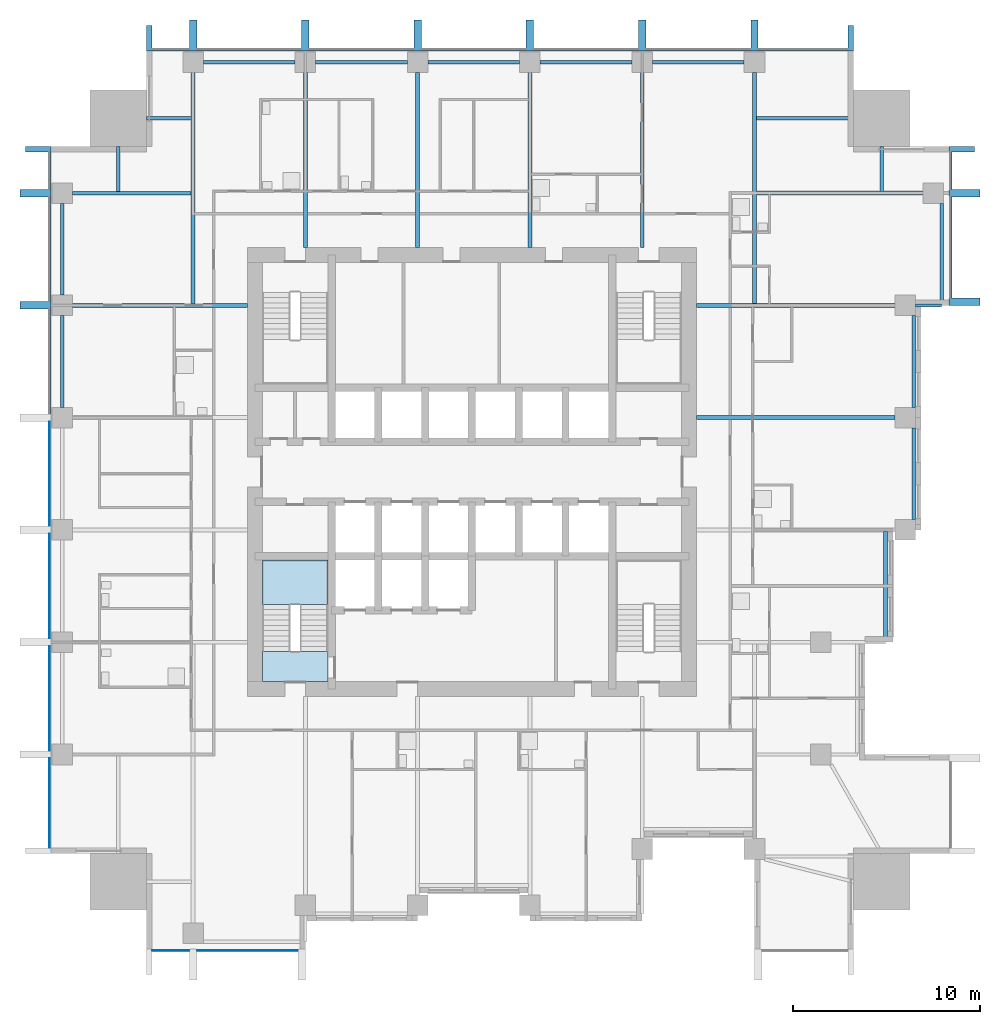
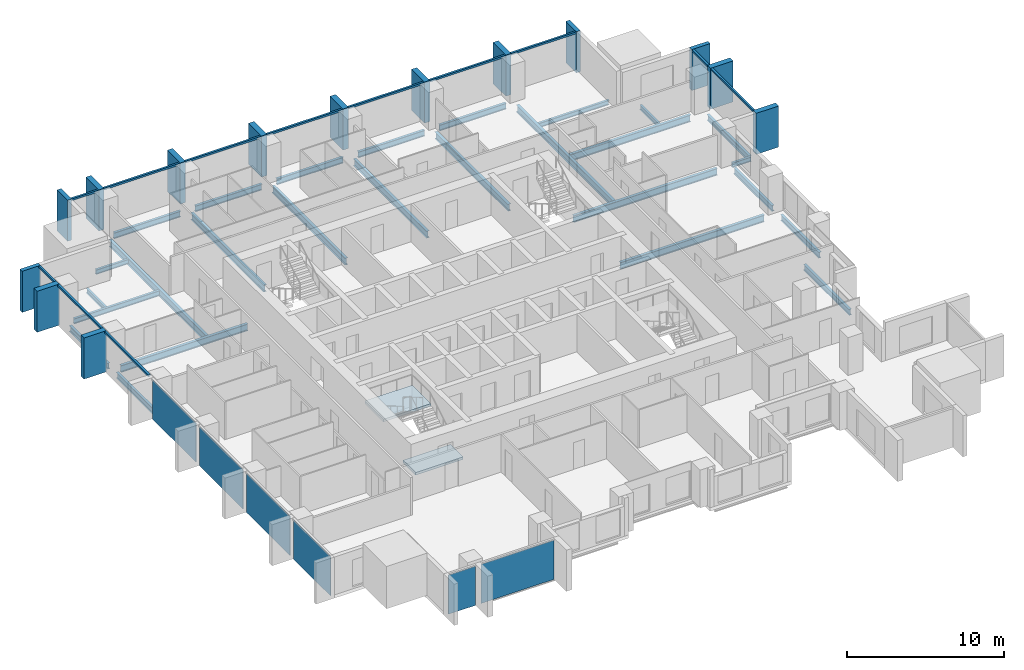
# One storey, part 2 of 10: 27 beams, 26 members, 6 plates, 2 slabs, 5 elements without a shape of their own.
"""IFC4 building model written with IfcOpenShell, lengths in metres."""

from ifc_helpers import new_model, si_unit, direction, frame, origin, origin_2d, place, context, subcontext, project, spatial, polyline, rectangle, i_section, outline, extrude, material, layer, layer_set, material_profile, profile_set, type_object, element, aggregate, save


model = new_model("IFC4")

# Units and contexts
model_context = context("Model", 3, precision=1e-05, world=origin(), true_north=direction((0.0, 1.0)))
body_context = subcontext(model_context, "Body", "Model", "MODEL_VIEW")
ifc_project = project(units=[si_unit("LENGTHUNIT", "METRE"), si_unit("AREAUNIT", "SQUARE_METRE"), si_unit("VOLUMEUNIT", "CUBIC_METRE"), si_unit("PLANEANGLEUNIT", "RADIAN"), si_unit("MASSUNIT", "GRAM", prefix="KILO")], contexts=[model_context])

# Site, building, storey
site_placement = place(None, origin())
site = spatial("IfcSite", under=ifc_project, at=site_placement, CompositionType="ELEMENT")
building_placement = place(site_placement, origin())
building = spatial("IfcBuilding", under=site, at=building_placement, Name="Amberfall Residences", CompositionType="ELEMENT")
storey_placement = place(building_placement, frame((0.0, 0.0, 121.60009765625)))
storey = spatial("IfcBuildingStorey", under=building, at=storey_placement, Name="L33", CompositionType="ELEMENT", Elevation=121.60009765625)

# Curtain wall, members
ifc_material_1 = material(Name="Bronze anodised aluminium and glass", Category="aluminium")
curtain_wall_type = type_object("IfcCurtainWallType", Name="Curtain wall CW1 tower unit", PredefinedType="USERDEFINED", material=ifc_material_1)
curtain_wall_1_placement = place(storey_placement, origin())
curtain_wall_1 = element("IfcCurtainWall", 1, at=curtain_wall_1_placement, inside=storey, type_object=curtain_wall_type, Name="Curtain wall L33 E E10", ObjectType="UNITISED CURTAIN WALL", PredefinedType="USERDEFINED")
ifc_material_2 = material(Name="Bronze anodised aluminium", Category="aluminium")
ifc_material_profile_1 = material_profile(ifc_material_2, rectangle(XDim=0.14990234375, YDim=0.14990234375, at=origin_2d()), Name="CW1 transom 150 x 150 bronze")
ifc_profile_set_1 = profile_set([ifc_material_profile_1], Name="Bronze anodised aluminium")
member_type_1 = type_object("IfcMemberType", Name="CW1 transom 150 x 150 bronze", PredefinedType="USERDEFINED", material=ifc_profile_set_1)
member_1_placement = place(storey_placement, frame((100.074951171875, 54.800048828125, 2.875), z_axis=(0.0, 1.0, 0.0), x_axis=(-1.0, 0.0, 0.0)))
member_1 = element("IfcMember", 2, at=member_1_placement, type_object=member_type_1, Name="CW1 transom 1.1", ObjectType="TRANSOM", PredefinedType="USERDEFINED", context=body_context, shape_type="SweptSolid", body=[
    extrude(rectangle(XDim=0.14990234375, YDim=0.14990234375, at=origin_2d()), origin(), (0.0, 0.0, 1.0), 5.39990234375),
])
member_2_placement = place(storey_placement, frame((100.074951171875, 60.60009765625, 2.875), z_axis=(0.0, 1.0, 0.0), x_axis=(-1.0, 0.0, 0.0)))
member_2 = element("IfcMember", 3, at=member_2_placement, type_object=member_type_1, Name="CW1 transom 2.1", ObjectType="TRANSOM", PredefinedType="USERDEFINED", context=body_context, shape_type="SweptSolid", body=[
    extrude(rectangle(XDim=0.14990234375, YDim=0.14990234375, at=origin_2d()), origin(), (0.0, 0.0, 1.0), 2.0),
])

curtain_wall_2_placement = place(storey_placement, origin())
curtain_wall_2 = element("IfcCurtainWall", 4, at=curtain_wall_2_placement, inside=storey, type_object=curtain_wall_type, Name="Curtain wall L33 N N1", ObjectType="UNITISED CURTAIN WALL", PredefinedType="USERDEFINED")
member_3_placement = place(storey_placement, frame((94.60009765625, 68.074951171875, 2.875), z_axis=(-1.0, 0.0, 0.0), x_axis=(0.0, -1.0, 0.0)))
member_3 = element("IfcMember", 5, at=member_3_placement, type_object=member_type_1, Name="CW1 transom 1.1", ObjectType="TRANSOM", PredefinedType="USERDEFINED", context=body_context, shape_type="SweptSolid", body=[
    extrude(rectangle(XDim=0.14990234375, YDim=0.14990234375, at=origin_2d()), origin(), (0.0, 0.0, 1.0), 4.800048828125),
])
member_4_placement = place(storey_placement, frame((89.39990234375, 68.074951171875, 2.875), z_axis=(-1.0, 0.0, 0.0), x_axis=(0.0, -1.0, 0.0)))
member_4 = element("IfcMember", 6, at=member_4_placement, type_object=member_type_1, Name="CW1 transom 2.1", ObjectType="TRANSOM", PredefinedType="USERDEFINED", context=body_context, shape_type="SweptSolid", body=[
    extrude(rectangle(XDim=0.14990234375, YDim=0.14990234375, at=origin_2d()), origin(), (0.0, 0.0, 1.0), 5.599853515625),
])
member_5_placement = place(storey_placement, frame((83.39990234375, 68.074951171875, 2.875), z_axis=(-1.0, 0.0, 0.0), x_axis=(0.0, -1.0, 0.0)))
member_5 = element("IfcMember", 7, at=member_5_placement, type_object=member_type_1, Name="CW1 transom 3.1", ObjectType="TRANSOM", PredefinedType="USERDEFINED", context=body_context, shape_type="SweptSolid", body=[
    extrude(rectangle(XDim=0.14990234375, YDim=0.14990234375, at=origin_2d()), origin(), (0.0, 0.0, 1.0), 5.599853515625),
])
member_6_placement = place(storey_placement, frame((77.39990234375, 68.074951171875, 2.875), z_axis=(-1.0, 0.0, 0.0), x_axis=(0.0, -1.0, 0.0)))
member_6 = element("IfcMember", 8, at=member_6_placement, type_object=member_type_1, Name="CW1 transom 4.1", ObjectType="TRANSOM", PredefinedType="USERDEFINED", context=body_context, shape_type="SweptSolid", body=[
    extrude(rectangle(XDim=0.14990234375, YDim=0.14990234375, at=origin_2d()), origin(), (0.0, 0.0, 1.0), 5.599853515625),
])
member_7_placement = place(storey_placement, frame((71.39990234375, 68.074951171875, 2.875), z_axis=(-1.0, 0.0, 0.0), x_axis=(0.0, -1.0, 0.0)))
member_7 = element("IfcMember", 9, at=member_7_placement, type_object=member_type_1, Name="CW1 transom 5.1", ObjectType="TRANSOM", PredefinedType="USERDEFINED", context=body_context, shape_type="SweptSolid", body=[
    extrude(rectangle(XDim=0.14990234375, YDim=0.14990234375, at=origin_2d()), origin(), (0.0, 0.0, 1.0), 5.599853515625),
])
member_8_placement = place(storey_placement, frame((65.39990234375, 68.074951171875, 2.875), z_axis=(-1.0, 0.0, 0.0), x_axis=(0.0, -1.0, 0.0)))
member_8 = element("IfcMember", 10, at=member_8_placement, type_object=member_type_1, Name="CW1 transom 6.1", ObjectType="TRANSOM", PredefinedType="USERDEFINED", context=body_context, shape_type="SweptSolid", body=[
    extrude(rectangle(XDim=0.14990234375, YDim=0.14990234375, at=origin_2d()), origin(), (0.0, 0.0, 1.0), 5.599853515625),
])
member_9_placement = place(storey_placement, frame((59.39990234375, 68.074951171875, 2.875), z_axis=(-1.0, 0.0, 0.0), x_axis=(0.0, -1.0, 0.0)))
member_9 = element("IfcMember", 11, at=member_9_placement, type_object=member_type_1, Name="CW1 transom 7.1", ObjectType="TRANSOM", PredefinedType="USERDEFINED", context=body_context, shape_type="SweptSolid", body=[
    extrude(rectangle(XDim=0.14990234375, YDim=0.14990234375, at=origin_2d()), origin(), (0.0, 0.0, 1.0), 2.0),
])

curtain_wall_3_placement = place(storey_placement, origin())
curtain_wall_3 = element("IfcCurtainWall", 12, at=curtain_wall_3_placement, inside=storey, type_object=curtain_wall_type, Name="Curtain wall L33 W W1", ObjectType="UNITISED CURTAIN WALL", PredefinedType="USERDEFINED")
member_10_placement = place(storey_placement, frame((51.925048828125, 62.60009765625, 2.875), z_axis=(0.0, -1.0, 0.0), x_axis=(1.0, 0.0, 0.0)))
member_10 = element("IfcMember", 13, at=member_10_placement, type_object=member_type_1, Name="CW1 transom 1.1", ObjectType="TRANSOM", PredefinedType="USERDEFINED", context=body_context, shape_type="SweptSolid", body=[
    extrude(rectangle(XDim=0.14990234375, YDim=0.14990234375, at=origin_2d()), origin(), (0.0, 0.0, 1.0), 2.0),
])
member_11_placement = place(storey_placement, frame((51.925048828125, 60.199951171875, 2.875), z_axis=(0.0, -1.0, 0.0), x_axis=(1.0, 0.0, 0.0)))
member_11 = element("IfcMember", 14, at=member_11_placement, type_object=member_type_1, Name="CW1 transom 2.1", ObjectType="TRANSOM", PredefinedType="USERDEFINED", context=body_context, shape_type="SweptSolid", body=[
    extrude(rectangle(XDim=0.14990234375, YDim=0.14990234375, at=origin_2d()), origin(), (0.0, 0.0, 1.0), 5.599853515625),
])
member_12_placement = place(storey_placement, frame((51.925048828125, 54.199951171875, 2.875), z_axis=(0.0, -1.0, 0.0), x_axis=(1.0, 0.0, 0.0)))
member_12 = element("IfcMember", 15, at=member_12_placement, type_object=member_type_1, Name="CW1 transom 3.1", ObjectType="TRANSOM", PredefinedType="USERDEFINED", context=body_context, shape_type="SweptSolid", body=[
    extrude(rectangle(XDim=0.14990234375, YDim=0.14990234375, at=origin_2d()), origin(), (0.0, 0.0, 1.0), 5.599853515625),
])

# Beam
ifc_material_3 = material(Name="Steel S355", Category="steel")
ifc_material_profile_2 = material_profile(ifc_material_3, i_section(OverallWidth=0.171142578125, OverallDepth=0.351318359375, WebThickness=0.007080078125, FlangeThickness=0.009765625, FilletRadius=0.01025390625, at=origin_2d()), Name="UB 356x171x45")
ifc_profile_set_2 = profile_set([ifc_material_profile_2], Name="Steel S355")
beam_type_1 = type_object("IfcBeamType", Name="Cantilever girder UB 356x171x45", PredefinedType="BEAM", material=ifc_profile_set_2)
beam_1_placement = place(storey_placement, frame((98.199951171875, 54.39990234375, -0.42578125), z_axis=(1.0, 0.0, 0.0), x_axis=(0.0, 1.0, 0.0)))
element("IfcBeam", 16, at=beam_1_placement, inside=storey, type_object=beam_type_1, Name="Cantilever girder B8 L33 21", PredefinedType="BEAM", context=body_context, shape_type="SweptSolid", body=[
    extrude(i_section(OverallWidth=0.171142578125, OverallDepth=0.351318359375, WebThickness=0.007080078125, FlangeThickness=0.009765625, FilletRadius=0.01025390625, at=origin_2d()), origin(), (0.0, 0.0, 1.0), 1.400146484375),
])

# Member
ifc_material_profile_3 = material_profile(ifc_material_2, rectangle(XDim=1.35009765625, YDim=0.300048828125, at=origin_2d()), Name="Corner fin 300 x 1350 bronze")
ifc_profile_set_3 = profile_set([ifc_material_profile_3], Name="Bronze anodised aluminium")
member_type_2 = type_object("IfcMemberType", Name="Corner fin 300 x 1350 bronze", PredefinedType="MULLION", material=ifc_profile_set_3)
member_13_placement = place(storey_placement, frame((100.675048828125, 62.75, -0.25), z_axis=(0.0, 0.0, 1.0), x_axis=(-1.0, 0.0, 0.0)))
member_13 = element("IfcMember", 17, at=member_13_placement, type_object=member_type_2, Name="CW FIN 3", PredefinedType="MULLION", context=body_context, shape_type="SweptSolid", body=[
    extrude(rectangle(XDim=1.35009765625, YDim=0.300048828125, at=origin_2d()), origin(), (0.0, 0.0, 1.0), 3.199951171875),
])

member_14_placement = place(storey_placement, frame((94.75, 68.675048828125, -0.25), z_axis=(0.0, 0.0, 1.0), x_axis=(0.0, -1.0, 0.0)))
member_14 = element("IfcMember", 18, at=member_14_placement, type_object=member_type_2, Name="CW FIN 1", PredefinedType="MULLION", context=body_context, shape_type="SweptSolid", body=[
    extrude(rectangle(XDim=1.35009765625, YDim=0.300048828125, at=origin_2d()), origin(), (0.0, 0.0, 1.0), 3.199951171875),
])

member_15_placement = place(storey_placement, frame((57.25, 68.675048828125, -0.25), z_axis=(0.0, 0.0, 1.0), x_axis=(0.0, -1.0, 0.0)))
member_15 = element("IfcMember", 19, at=member_15_placement, type_object=member_type_2, Name="CW FIN 8", PredefinedType="MULLION", context=body_context, shape_type="SweptSolid", body=[
    extrude(rectangle(XDim=1.35009765625, YDim=0.300048828125, at=origin_2d()), origin(), (0.0, 0.0, 1.0), 3.199951171875),
])

member_16_placement = place(storey_placement, frame((51.324951171875, 62.75, -0.25), z_axis=(0.0, 0.0, 1.0), x_axis=(1.0, 0.0, 0.0)))
member_16 = element("IfcMember", 20, at=member_16_placement, type_object=member_type_2, Name="CW FIN 1", PredefinedType="MULLION", context=body_context, shape_type="SweptSolid", body=[
    extrude(rectangle(XDim=1.35009765625, YDim=0.300048828125, at=origin_2d()), origin(), (0.0, 0.0, 1.0), 3.199951171875),
])

# Beams
ifc_material_profile_4 = material_profile(ifc_material_3, i_section(OverallWidth=0.18994140625, OverallDepth=0.453369140625, WebThickness=0.008544921875, FlangeThickness=0.0126953125, FilletRadius=0.01025390625, at=origin_2d()), Name="UB 457x191x67")
ifc_profile_set_4 = profile_set([ifc_material_profile_4], Name="Steel S355")
beam_type_2 = type_object("IfcBeamType", Name="Edge beam UB 457x191x67", PredefinedType="SPANDREL", material=ifc_profile_set_4)
beam_2_placement = place(storey_placement, frame((96.60009765625, 36.47998046875, -0.476806640625), z_axis=(0.0, 1.0, 0.0), x_axis=(-1.0, 0.0, 0.0)))
element("IfcBeam", 21, at=beam_2_placement, inside=storey, type_object=beam_type_2, Name="Edge beam B1 L33 15", PredefinedType="SPANDREL", context=body_context, shape_type="SweptSolid", body=[
    extrude(i_section(OverallWidth=0.18994140625, OverallDepth=0.453369140625, WebThickness=0.008544921875, FlangeThickness=0.0126953125, FilletRadius=0.01025390625, at=origin_2d()), origin(), (0.0, 0.0, 1.0), 5.840087890625),
])
for number, where, z_axis, x_axis, name in (
    (22, (98.10009765625, 42.949951171875, -0.476806640625), (0.0, 1.0, 0.0), (-1.0, 0.0, 0.0), "Edge beam B1 L33 16"),
    (23, (98.10009765625, 48.949951171875, -0.476806640625), (0.0, 1.0, 0.0), (-1.0, 0.0, 0.0), "Edge beam B1 L33 17"),
):
    element("IfcBeam", number, at=place(storey_placement, frame(where, z_axis=z_axis, x_axis=x_axis)), inside=storey, type_object=beam_type_2, Name=name, PredefinedType="SPANDREL", context=body_context, shape_type="SweptSolid", body=[
        extrude(i_section(OverallWidth=0.18994140625, OverallDepth=0.453369140625, WebThickness=0.008544921875, FlangeThickness=0.0126953125, FilletRadius=0.01025390625, at=origin_2d()), origin(), (0.0, 0.0, 1.0), 4.900146484375),
    ])
beam_3_placement = place(storey_placement, frame((99.60009765625, 54.47998046875, -0.476806640625), z_axis=(0.0, 1.0, 0.0), x_axis=(-1.0, 0.0, 0.0)))
element("IfcBeam", 24, at=beam_3_placement, inside=storey, type_object=beam_type_2, Name="Edge beam B1 L33 18", PredefinedType="SPANDREL", context=body_context, shape_type="SweptSolid", body=[
    extrude(i_section(OverallWidth=0.18994140625, OverallDepth=0.453369140625, WebThickness=0.008544921875, FlangeThickness=0.0126953125, FilletRadius=0.01025390625, at=origin_2d()), origin(), (0.0, 0.0, 1.0), 5.3701171875),
])
for number, where, z_axis, x_axis, name in (
    (25, (60.14990234375, 67.39990234375, -0.476806640625), (1.0, 0.0, 0.0), (0.0, 1.0, 0.0), "Edge beam B1 L33 28"),
    (26, (66.14990234375, 67.39990234375, -0.476806640625), (1.0, 0.0, 0.0), (0.0, 1.0, 0.0), "Edge beam B1 L33 29"),
    (27, (72.14990234375, 67.39990234375, -0.476806640625), (1.0, 0.0, 0.0), (0.0, 1.0, 0.0), "Edge beam B1 L33 30"),
    (28, (78.14990234375, 67.39990234375, -0.476806640625), (1.0, 0.0, 0.0), (0.0, 1.0, 0.0), "Edge beam B1 L33 31"),
    (29, (84.14990234375, 67.39990234375, -0.476806640625), (1.0, 0.0, 0.0), (0.0, 1.0, 0.0), "Edge beam B1 L33 32"),
    (30, (52.60009765625, 48.949951171875, -0.476806640625), (0.0, 1.0, 0.0), (-1.0, 0.0, 0.0), "Edge beam B1 L33 42"),
    (31, (52.60009765625, 54.949951171875, -0.476806640625), (0.0, 1.0, 0.0), (-1.0, 0.0, 0.0), "Edge beam B1 L33 43"),
):
    element("IfcBeam", number, at=place(storey_placement, frame(where, z_axis=z_axis, x_axis=x_axis)), inside=storey, type_object=beam_type_2, Name=name, PredefinedType="SPANDREL", context=body_context, shape_type="SweptSolid", body=[
        extrude(i_section(OverallWidth=0.18994140625, OverallDepth=0.453369140625, WebThickness=0.008544921875, FlangeThickness=0.0126953125, FilletRadius=0.01025390625, at=origin_2d()), origin(), (0.0, 0.0, 1.0), 4.900146484375),
    ])

# Member
ifc_material_profile_5 = material_profile(ifc_material_2, rectangle(XDim=1.64990234375, YDim=0.39990234375, at=origin_2d()), Name="Fin 400 x 1650 bronze")
ifc_profile_set_5 = profile_set([ifc_material_profile_5], Name="Bronze anodised aluminium")
member_type_3 = type_object("IfcMemberType", Name="Fin 400 x 1650 bronze", PredefinedType="MULLION", material=ifc_profile_set_5)
member_17_placement = place(storey_placement, frame((100.824951171875, 54.60009765625, -0.25), z_axis=(0.0, 0.0, 1.0), x_axis=(-1.0, 0.0, 0.0)))
member_17 = element("IfcMember", 32, at=member_17_placement, type_object=member_type_3, Name="CW FIN 1", PredefinedType="MULLION", context=body_context, shape_type="SweptSolid", body=[
    extrude(rectangle(XDim=1.64990234375, YDim=0.39990234375, at=origin_2d()), origin(), (0.0, 0.0, 1.0), 3.199951171875),
])

member_18_placement = place(storey_placement, frame((100.824951171875, 60.39990234375, -0.25), z_axis=(0.0, 0.0, 1.0), x_axis=(-1.0, 0.0, 0.0)))
member_18 = element("IfcMember", 33, at=member_18_placement, type_object=member_type_3, Name="CW FIN 2", PredefinedType="MULLION", context=body_context, shape_type="SweptSolid", body=[
    extrude(rectangle(XDim=1.64990234375, YDim=0.39990234375, at=origin_2d()), origin(), (0.0, 0.0, 1.0), 3.199951171875),
])

aggregate(curtain_wall_1, [member_17, member_18, member_13, member_1, member_2])

member_19_placement = place(storey_placement, frame((89.60009765625, 68.824951171875, -0.25), z_axis=(0.0, 0.0, 1.0), x_axis=(0.0, -1.0, 0.0)))
member_19 = element("IfcMember", 34, at=member_19_placement, type_object=member_type_3, Name="CW FIN 2", PredefinedType="MULLION", context=body_context, shape_type="SweptSolid", body=[
    extrude(rectangle(XDim=1.64990234375, YDim=0.39990234375, at=origin_2d()), origin(), (0.0, 0.0, 1.0), 3.199951171875),
])

member_20_placement = place(storey_placement, frame((83.60009765625, 68.824951171875, -0.25), z_axis=(0.0, 0.0, 1.0), x_axis=(0.0, -1.0, 0.0)))
member_20 = element("IfcMember", 35, at=member_20_placement, type_object=member_type_3, Name="CW FIN 3", PredefinedType="MULLION", context=body_context, shape_type="SweptSolid", body=[
    extrude(rectangle(XDim=1.64990234375, YDim=0.39990234375, at=origin_2d()), origin(), (0.0, 0.0, 1.0), 3.199951171875),
])

member_21_placement = place(storey_placement, frame((77.60009765625, 68.824951171875, -0.25), z_axis=(0.0, 0.0, 1.0), x_axis=(0.0, -1.0, 0.0)))
member_21 = element("IfcMember", 36, at=member_21_placement, type_object=member_type_3, Name="CW FIN 4", PredefinedType="MULLION", context=body_context, shape_type="SweptSolid", body=[
    extrude(rectangle(XDim=1.64990234375, YDim=0.39990234375, at=origin_2d()), origin(), (0.0, 0.0, 1.0), 3.199951171875),
])

member_22_placement = place(storey_placement, frame((71.60009765625, 68.824951171875, -0.25), z_axis=(0.0, 0.0, 1.0), x_axis=(0.0, -1.0, 0.0)))
member_22 = element("IfcMember", 37, at=member_22_placement, type_object=member_type_3, Name="CW FIN 5", PredefinedType="MULLION", context=body_context, shape_type="SweptSolid", body=[
    extrude(rectangle(XDim=1.64990234375, YDim=0.39990234375, at=origin_2d()), origin(), (0.0, 0.0, 1.0), 3.199951171875),
])

member_23_placement = place(storey_placement, frame((65.60009765625, 68.824951171875, -0.25), z_axis=(0.0, 0.0, 1.0), x_axis=(0.0, -1.0, 0.0)))
member_23 = element("IfcMember", 38, at=member_23_placement, type_object=member_type_3, Name="CW FIN 6", PredefinedType="MULLION", context=body_context, shape_type="SweptSolid", body=[
    extrude(rectangle(XDim=1.64990234375, YDim=0.39990234375, at=origin_2d()), origin(), (0.0, 0.0, 1.0), 3.199951171875),
])

member_24_placement = place(storey_placement, frame((59.60009765625, 68.824951171875, -0.25), z_axis=(0.0, 0.0, 1.0), x_axis=(0.0, -1.0, 0.0)))
member_24 = element("IfcMember", 39, at=member_24_placement, type_object=member_type_3, Name="CW FIN 7", PredefinedType="MULLION", context=body_context, shape_type="SweptSolid", body=[
    extrude(rectangle(XDim=1.64990234375, YDim=0.39990234375, at=origin_2d()), origin(), (0.0, 0.0, 1.0), 3.199951171875),
])

aggregate(curtain_wall_2, [member_14, member_19, member_20, member_21, member_22, member_23, member_24, member_15, member_3, member_4, member_5, member_6, member_7, member_8, member_9])

member_25_placement = place(storey_placement, frame((51.175048828125, 60.39990234375, -0.25), z_axis=(0.0, 0.0, 1.0), x_axis=(1.0, 0.0, 0.0)))
member_25 = element("IfcMember", 40, at=member_25_placement, type_object=member_type_3, Name="CW FIN 2", PredefinedType="MULLION", context=body_context, shape_type="SweptSolid", body=[
    extrude(rectangle(XDim=1.64990234375, YDim=0.39990234375, at=origin_2d()), origin(), (0.0, 0.0, 1.0), 3.199951171875),
])

member_26_placement = place(storey_placement, frame((51.175048828125, 54.39990234375, -0.25), z_axis=(0.0, 0.0, 1.0), x_axis=(1.0, 0.0, 0.0)))
member_26 = element("IfcMember", 41, at=member_26_placement, type_object=member_type_3, Name="CW FIN 3", PredefinedType="MULLION", context=body_context, shape_type="SweptSolid", body=[
    extrude(rectangle(XDim=1.64990234375, YDim=0.39990234375, at=origin_2d()), origin(), (0.0, 0.0, 1.0), 3.199951171875),
])

# Beams
ifc_material_profile_6 = material_profile(ifc_material_3, i_section(OverallWidth=0.177734375, OverallDepth=0.402587890625, WebThickness=0.0078125, FlangeThickness=0.010986328125, FilletRadius=0.01025390625, at=origin_2d()), Name="UB 406x178x54")
ifc_profile_set_6 = profile_set([ifc_material_profile_6], Name="Steel S355")
beam_type_3 = type_object("IfcBeamType", Name="Floor girder UB 406x178x54", PredefinedType="BEAM", material=ifc_profile_set_6)
beam_4_placement = place(storey_placement, frame((53.14990234375, 60.39990234375, -0.451416015625), z_axis=(1.0, 0.0, 0.0), x_axis=(0.0, 1.0, 0.0)))
element("IfcBeam", 42, at=beam_4_placement, inside=storey, type_object=beam_type_3, Name="Floor girder B4 L33 49", PredefinedType="BEAM", context=body_context, shape_type="SweptSolid", body=[
    extrude(i_section(OverallWidth=0.177734375, OverallDepth=0.402587890625, WebThickness=0.0078125, FlangeThickness=0.010986328125, FilletRadius=0.01025390625, at=origin_2d()), origin(), (0.0, 0.0, 1.0), 6.330078125),
])
ifc_material_profile_7 = material_profile(ifc_material_3, i_section(OverallWidth=0.210693359375, OverallDepth=0.53955078125, WebThickness=0.01171875, FlangeThickness=0.018798828125, FilletRadius=0.0126953125, at=origin_2d()), Name="UB 533x210x109")
ifc_profile_set_7 = profile_set([ifc_material_profile_7], Name="Steel S355")
beam_type_4 = type_object("IfcBeamType", Name="Floor girder UB 533x210x109", PredefinedType="BEAM", material=ifc_profile_set_7)
for number, where, z_axis, x_axis, name in (
    (43, (59.60009765625, 66.85009765625, -0.519775390625), (0.0, -1.0, 0.0), (1.0, 0.0, 0.0), "Floor girder B2 L33 33"),
    (44, (89.60009765625, 66.85009765625, -0.519775390625), (0.0, -1.0, 0.0), (1.0, 0.0, 0.0), "Floor girder B2 L33 38"),
):
    element("IfcBeam", number, at=place(storey_placement, frame(where, z_axis=z_axis, x_axis=x_axis)), inside=storey, type_object=beam_type_4, Name=name, PredefinedType="BEAM", context=body_context, shape_type="SweptSolid", body=[
        extrude(i_section(OverallWidth=0.210693359375, OverallDepth=0.53955078125, WebThickness=0.01171875, FlangeThickness=0.018798828125, FilletRadius=0.0126953125, at=origin_2d()), origin(), (0.0, 0.0, 1.0), 12.3505859375),
    ])
ifc_material_profile_8 = material_profile(ifc_material_3, i_section(OverallWidth=0.209228515625, OverallDepth=0.533203125, WebThickness=0.010009765625, FlangeThickness=0.015625, FilletRadius=0.0126953125, at=origin_2d()), Name="UB 533x210x92")
ifc_profile_set_8 = profile_set([ifc_material_profile_8], Name="Steel S355")
beam_type_5 = type_object("IfcBeamType", Name="Floor girder UB 533x210x92", PredefinedType="BEAM", material=ifc_profile_set_8)
for number, where, z_axis, x_axis, name in (
    (45, (97.10009765625, 48.39990234375, -0.5166015625), (-1.0, 0.0, 0.0), (0.0, -1.0, 0.0), "Floor girder B3 L33 25"),
    (46, (97.10009765625, 54.39990234375, -0.5166015625), (-1.0, 0.0, 0.0), (0.0, -1.0, 0.0), "Floor girder B3 L33 26"),
):
    element("IfcBeam", number, at=place(storey_placement, frame(where, z_axis=z_axis, x_axis=x_axis)), inside=storey, type_object=beam_type_5, Name=name, PredefinedType="BEAM", context=body_context, shape_type="SweptSolid", body=[
        extrude(i_section(OverallWidth=0.209228515625, OverallDepth=0.533203125, WebThickness=0.010009765625, FlangeThickness=0.015625, FilletRadius=0.0126953125, at=origin_2d()), origin(), (0.0, 0.0, 1.0), 10.60009765625),
    ])
beam_5_placement = place(storey_placement, frame((98.60009765625, 60.39990234375, -0.5166015625), z_axis=(-1.0, 0.0, 0.0), x_axis=(0.0, -1.0, 0.0)))
element("IfcBeam", 47, at=beam_5_placement, inside=storey, type_object=beam_type_5, Name="Floor girder B3 L33 27", PredefinedType="BEAM", context=body_context, shape_type="SweptSolid", body=[
    extrude(i_section(OverallWidth=0.209228515625, OverallDepth=0.533203125, WebThickness=0.010009765625, FlangeThickness=0.015625, FilletRadius=0.0126953125, at=origin_2d()), origin(), (0.0, 0.0, 1.0), 8.880126953125),
])
for number, where, z_axis, x_axis, name in (
    (48, (65.60009765625, 66.85009765625, -0.5166015625), (0.0, -1.0, 0.0), (1.0, 0.0, 0.0), "Floor girder B3 L33 34"),
    (49, (71.60009765625, 66.85009765625, -0.5166015625), (0.0, -1.0, 0.0), (1.0, 0.0, 0.0), "Floor girder B3 L33 35"),
    (50, (77.60009765625, 66.85009765625, -0.5166015625), (0.0, -1.0, 0.0), (1.0, 0.0, 0.0), "Floor girder B3 L33 36"),
    (51, (83.60009765625, 66.85009765625, -0.5166015625), (0.0, -1.0, 0.0), (1.0, 0.0, 0.0), "Floor girder B3 L33 37"),
    (52, (53.14990234375, 54.39990234375, -0.5166015625), (1.0, 0.0, 0.0), (0.0, 1.0, 0.0), "Floor girder B3 L33 48"),
):
    element("IfcBeam", number, at=place(storey_placement, frame(where, z_axis=z_axis, x_axis=x_axis)), inside=storey, type_object=beam_type_5, Name=name, PredefinedType="BEAM", context=body_context, shape_type="SweptSolid", body=[
        extrude(i_section(OverallWidth=0.209228515625, OverallDepth=0.533203125, WebThickness=0.010009765625, FlangeThickness=0.015625, FilletRadius=0.0126953125, at=origin_2d()), origin(), (0.0, 0.0, 1.0), 9.35009765625),
    ])
ifc_material_profile_9 = material_profile(ifc_material_3, i_section(OverallWidth=0.171142578125, OverallDepth=0.351318359375, WebThickness=0.007080078125, FlangeThickness=0.009765625, FilletRadius=0.01025390625, at=origin_2d()), Name="UB 356x171x45")
ifc_profile_set_9 = profile_set([ifc_material_profile_9], Name="Steel S355")
beam_type_6 = type_object("IfcBeamType", Name="Link beam UB 356x171x45", PredefinedType="BEAM", material=ifc_profile_set_9)
beam_6_placement = place(storey_placement, frame((94.89990234375, 64.39990234375, -0.42578125), z_axis=(-1.0, 0.0, 0.0), x_axis=(0.0, -1.0, 0.0)))
element("IfcBeam", 53, at=beam_6_placement, inside=storey, type_object=beam_type_6, Name="Link beam B7 L33 55", PredefinedType="BEAM", context=body_context, shape_type="SweptSolid", body=[
    extrude(i_section(OverallWidth=0.171142578125, OverallDepth=0.351318359375, WebThickness=0.007080078125, FlangeThickness=0.009765625, FilletRadius=0.01025390625, at=origin_2d()), origin(), (0.0, 0.0, 1.0), 5.20458984375),
])
beam_7_placement = place(storey_placement, frame((96.39990234375, 62.89990234375, -0.42578125), z_axis=(0.0, -1.0, 0.0), x_axis=(1.0, 0.0, 0.0)))
element("IfcBeam", 54, at=beam_7_placement, inside=storey, type_object=beam_type_6, Name="Link beam B7 L33 56", PredefinedType="BEAM", context=body_context, shape_type="SweptSolid", body=[
    extrude(i_section(OverallWidth=0.171142578125, OverallDepth=0.351318359375, WebThickness=0.007080078125, FlangeThickness=0.009765625, FilletRadius=0.01025390625, at=origin_2d()), origin(), (0.0, 0.0, 1.0), 2.4052734375),
])
beam_8_placement = place(storey_placement, frame((57.10009765625, 64.39990234375, -0.42578125), z_axis=(1.0, 0.0, 0.0), x_axis=(0.0, 1.0, 0.0)))
element("IfcBeam", 55, at=beam_8_placement, inside=storey, type_object=beam_type_6, Name="Link beam B7 L33 57", PredefinedType="BEAM", context=body_context, shape_type="SweptSolid", body=[
    extrude(i_section(OverallWidth=0.171142578125, OverallDepth=0.351318359375, WebThickness=0.007080078125, FlangeThickness=0.009765625, FilletRadius=0.01025390625, at=origin_2d()), origin(), (0.0, 0.0, 1.0), 2.404541015625),
])
beam_9_placement = place(storey_placement, frame((55.60009765625, 62.89990234375, -0.42578125), z_axis=(0.0, -1.0, 0.0), x_axis=(1.0, 0.0, 0.0)))
element("IfcBeam", 56, at=beam_9_placement, inside=storey, type_object=beam_type_6, Name="Link beam B7 L33 58", PredefinedType="BEAM", context=body_context, shape_type="SweptSolid", body=[
    extrude(i_section(OverallWidth=0.171142578125, OverallDepth=0.351318359375, WebThickness=0.007080078125, FlangeThickness=0.009765625, FilletRadius=0.01025390625, at=origin_2d()), origin(), (0.0, 0.0, 1.0), 2.4208984375),
])

# Curtain wall, plates
curtain_wall_4_placement = place(storey_placement, origin())
curtain_wall_4 = element("IfcCurtainWall", 57, at=curtain_wall_4_placement, inside=storey, type_object=curtain_wall_type, Name="Curtain wall L33 S S1", ObjectType="UNITISED CURTAIN WALL", PredefinedType="USERDEFINED")
ifc_material_4 = material(Name="Tinted double glazed unit", Category="glass")
ifc_layer_1 = layer(ifc_material_4, 0.035888671875)
ifc_layer_set_1 = layer_set([ifc_layer_1], Name="CW1 panel 36 glazing")
plate_type = type_object("IfcPlateType", Name="CW1 panel 36 glazing", PredefinedType="CURTAIN_PANEL", material=ifc_layer_set_1)
plate_1_placement = place(storey_placement, frame((58.39990234375, 19.925048828125, -0.25), z_axis=(0.0, 0.0, 1.0), x_axis=(1.0, 0.0, 0.0)))
plate_1 = element("IfcPlate", 58, at=plate_1_placement, type_object=plate_type, Name="CW1 panel 1.1", PredefinedType="CURTAIN_PANEL", context=body_context, shape_type="SweptSolid", body=[
    extrude(rectangle(XDim=1.97607421875, YDim=0.035888671875, at=origin_2d()), origin(), (0.0, 0.0, 1.0), 3.050048828125),
])
plate_2_placement = place(storey_placement, frame((62.5, 19.925048828125, -0.25), z_axis=(0.0, 0.0, 1.0), x_axis=(1.0, 0.0, 0.0)))
plate_2 = element("IfcPlate", 59, at=plate_2_placement, type_object=plate_type, Name="CW1 panel 2.1", PredefinedType="CURTAIN_PANEL", context=body_context, shape_type="SweptSolid", body=[
    extrude(rectangle(XDim=5.3759765625, YDim=0.035888671875, at=origin_2d()), origin(), (0.0, 0.0, 1.0), 3.050048828125),
])
aggregate(curtain_wall_4, [plate_1, plate_2])

# Plate
plate_3_placement = place(storey_placement, frame((51.925048828125, 45.39990234375, -0.25), z_axis=(0.0, 0.0, 1.0), x_axis=(0.0, -1.0, 0.0)))
plate_3 = element("IfcPlate", 60, at=plate_3_placement, type_object=plate_type, Name="CW1 panel 4.1", PredefinedType="CURTAIN_PANEL", context=body_context, shape_type="SweptSolid", body=[
    extrude(rectangle(XDim=5.575927734375, YDim=0.035888671875, at=origin_2d()), origin(), (0.0, 0.0, 1.0), 3.050048828125),
])

plate_4_placement = place(storey_placement, frame((51.925048828125, 39.39990234375, -0.25), z_axis=(0.0, 0.0, 1.0), x_axis=(0.0, -1.0, 0.0)))
plate_4 = element("IfcPlate", 61, at=plate_4_placement, type_object=plate_type, Name="CW1 panel 5.1", PredefinedType="CURTAIN_PANEL", context=body_context, shape_type="SweptSolid", body=[
    extrude(rectangle(XDim=5.575927734375, YDim=0.035888671875, at=origin_2d()), origin(), (0.0, 0.0, 1.0), 3.050048828125),
])

plate_5_placement = place(storey_placement, frame((51.925048828125, 33.39990234375, -0.25), z_axis=(0.0, 0.0, 1.0), x_axis=(0.0, -1.0, 0.0)))
plate_5 = element("IfcPlate", 62, at=plate_5_placement, type_object=plate_type, Name="CW1 panel 6.1", PredefinedType="CURTAIN_PANEL", context=body_context, shape_type="SweptSolid", body=[
    extrude(rectangle(XDim=5.575927734375, YDim=0.035888671875, at=origin_2d()), origin(), (0.0, 0.0, 1.0), 3.050048828125),
])

plate_6_placement = place(storey_placement, frame((51.925048828125, 27.800048828125, -0.25), z_axis=(0.0, 0.0, 1.0), x_axis=(0.0, -1.0, 0.0)))
plate_6 = element("IfcPlate", 63, at=plate_6_placement, type_object=plate_type, Name="CW1 panel 7.1", PredefinedType="CURTAIN_PANEL", context=body_context, shape_type="SweptSolid", body=[
    extrude(rectangle(XDim=4.77587890625, YDim=0.035888671875, at=origin_2d()), origin(), (0.0, 0.0, 1.0), 3.050048828125),
])

aggregate(curtain_wall_3, [member_16, member_25, member_26, member_10, member_11, member_12, plate_3, plate_4, plate_5, plate_6])

# Stair, slabs
ifc_material_5 = material(Name="Concrete C40", Category="concrete")
stair_type = type_object("IfcStairType", Name="Exit stair 20 risers 165.0 mm", PredefinedType="HALF_TURN_STAIR", material=ifc_material_5)
stair_placement = place(storey_placement, origin())
stair = element("IfcStair", 64, at=stair_placement, inside=storey, type_object=stair_type, Name="L33 Exit stair 1", PredefinedType="HALF_TURN_STAIR")
ifc_layer_2 = layer(ifc_material_5, 0.199951171875)
ifc_layer_set_2 = layer_set([ifc_layer_2], Name="Stair landing 200")
slab_type = type_object("IfcSlabType", Name="Stair landing 200", PredefinedType="LANDING", material=ifc_layer_set_2)
slab_1_placement = place(storey_placement, frame((0.0, 0.0, 1.449951171875)))
slab_1 = element("IfcSlab", 65, at=slab_1_placement, type_object=slab_type, Name="ST3 landing 1", PredefinedType="LANDING", context=body_context, shape_type="SweptSolid", body=[
    extrude(outline(polyline([(66.800048828125, 38.419921875), (66.800048828125, 40.800048828125), (63.300048828125, 40.800048828125), (63.300048828125, 38.419921875), (66.800048828125, 38.419921875)])), origin(), (0.0, 0.0, 1.0), 0.199951171875),
])
slab_2_placement = place(storey_placement, frame((0.0, 0.0, -0.2001953125)))
slab_2 = element("IfcSlab", 66, at=slab_2_placement, type_object=slab_type, Name="ST3 landing 2", PredefinedType="LANDING", context=body_context, shape_type="SweptSolid", body=[
    extrude(outline(polyline([(66.800048828125, 34.300048828125), (66.800048828125, 35.89990234375), (63.300048828125, 35.89990234375), (63.300048828125, 34.300048828125), (66.800048828125, 34.300048828125)])), origin(), (0.0, 0.0, 1.0), 0.2001953125),
])
aggregate(stair, [slab_1, slab_2])

save(model, "model.ifc")
